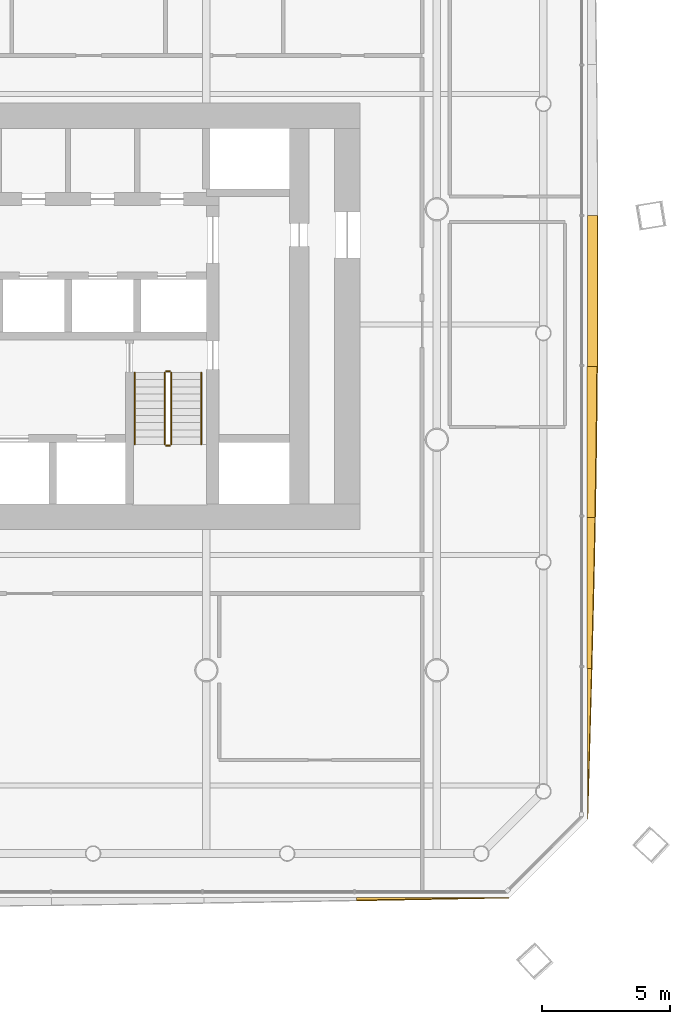
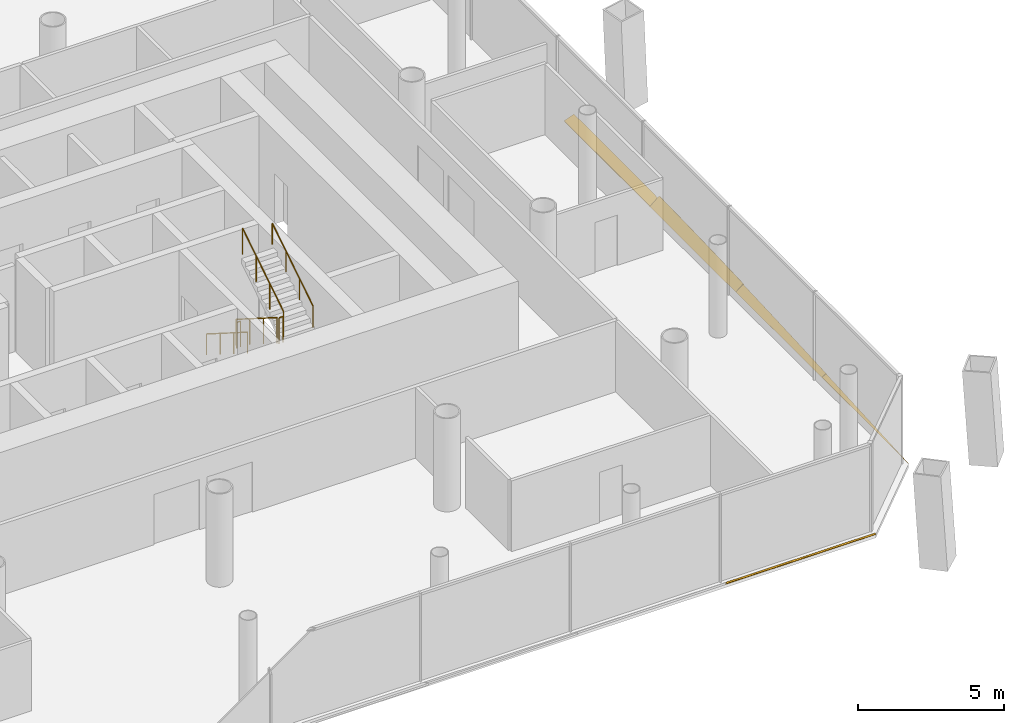
# One storey, part 19 of 21: 6 railings, 5 shading devices.
"""IFC4 building model written with IfcOpenShell, lengths in metres."""

import ifcopenshell
import ifcopenshell.guid

model = None  # the IFC model being written
_history = None  # IfcOwnerHistory: only IFC2X3 demands one
_inside = {}  # id of a spatial element -> (the spatial element, [elements in it])
_under = {}  # id of a project, library or spatial element -> (it, [spatial elements below it])
_declared = {}  # id of a project -> (the project, [libraries it declares])
_typed = {}  # id of a type object -> (the type object, [elements of that type])
_made_of = {}  # id of a material, layer set ... -> (it, [elements and type objects made of it])


def new_model(schema):
    """Start an empty IFC model of exactly this schema.

    Asked for "IFC4X3", IfcOpenShell would pick the latest addendum, in which some entities
    have other attributes; the version numbers below select the first issue.
    IFC2X3 requires an IfcOwnerHistory on every rooted entity: one is made here for all.
    """
    global model, _history
    if schema == "IFC4X3":
        model = ifcopenshell.file(schema_version=(4, 3, 0, 0))
    else:
        model = ifcopenshell.file(schema=schema)
    _inside.clear()
    _under.clear()
    _declared.clear()
    _typed.clear()
    _made_of.clear()
    _history = None
    if model.schema == "IFC2X3":
        org = make("IfcOrganization", Name="unknown")
        user = make(
            "IfcPersonAndOrganization",
            ThePerson=make("IfcPerson", FamilyName="unknown"),
            TheOrganization=org,
        )
        app = make(
            "IfcApplication",
            ApplicationDeveloper=org,
            Version="unknown",
            ApplicationFullName="unknown",
            ApplicationIdentifier="unknown",
        )
        _history = make(
            "IfcOwnerHistory",
            OwningUser=user,
            OwningApplication=app,
            ChangeAction="ADDED",
            CreationDate=0,
        )
    return model


def make(cls, **values):
    """One entity of the class cls with the attributes given. An attribute that is None is left unset."""
    return model.create_entity(
        cls, **{name: value for name, value in values.items() if value is not None}
    )


def rooted(cls, **values):
    """An entity with a GlobalId (a new one), such as an element, a storey or a relation."""
    return make(cls, GlobalId=ifcopenshell.guid.new(), OwnerHistory=_history, **values)


def si_unit(unit_type, name, prefix=None):
    """IfcSIUnit, for example si_unit("LENGTHUNIT", "METRE", prefix="MILLI")."""
    return make("IfcSIUnit", UnitType=unit_type, Prefix=prefix, Name=name)


def assignment(units):
    """IfcUnitAssignment: the units of a project."""
    return None if units is None else make("IfcUnitAssignment", Units=units)


def point(xyz):
    """IfcCartesianPoint."""
    return None if xyz is None else make("IfcCartesianPoint", Coordinates=xyz)


def direction(xyz):
    """IfcDirection."""
    return None if xyz is None else make("IfcDirection", DirectionRatios=xyz)


def frame(location, z_axis=None, x_axis=None):
    """IfcAxis2Placement3D, a coordinate frame: its origin and axes. An axis left out is left unset."""
    return make(
        "IfcAxis2Placement3D",
        Location=point(location),
        Axis=direction(z_axis),
        RefDirection=direction(x_axis),
    )


def frame_2d(location, x_axis=None):
    """IfcAxis2Placement2D, a coordinate frame in the plane: its origin and x axis."""
    return make(
        "IfcAxis2Placement2D", Location=point(location), RefDirection=direction(x_axis)
    )


def origin():
    """The frame at (0, 0, 0) with its axes left unset."""
    return frame((0.0, 0.0, 0.0))


def origin_2d():
    """The frame at (0, 0) in the plane with its x axis left unset."""
    return frame_2d((0.0, 0.0))


def place(relative_to, where):
    """IfcLocalPlacement: puts the frame where relative to a parent placement (None: the world)."""
    return make(
        "IfcLocalPlacement", PlacementRelTo=relative_to, RelativePlacement=where
    )


def context(
    kind, dimensions, precision=None, world=None, true_north=None, identifier=None
):
    """IfcGeometricRepresentationContext, for example the 3D "Model" context."""
    return make(
        "IfcGeometricRepresentationContext",
        ContextIdentifier=identifier,
        ContextType=kind,
        CoordinateSpaceDimension=dimensions,
        Precision=precision,
        WorldCoordinateSystem=world,
        TrueNorth=true_north,
    )


def subcontext(parent, identifier, kind, view, scale=None):
    """IfcGeometricRepresentationSubContext, for example "Body" below "Model"."""
    return make(
        "IfcGeometricRepresentationSubContext",
        ContextIdentifier=identifier,
        ContextType=kind,
        ParentContext=parent,
        TargetScale=scale,
        TargetView=view,
    )


def project(units=None, contexts=None):
    """IfcProject with its units and contexts."""
    return rooted(
        "IfcProject",
        Name="project",
        RepresentationContexts=contexts,
        UnitsInContext=assignment(units),
    )


def spatial(cls, under=None, at=None, **own):
    """A site, building, storey or space (cls), placed at a placement, below another one or the project."""
    s = rooted(cls, ObjectPlacement=at, **own)
    if under is not None:
        _under.setdefault(under.id(), (under, []))[1].append(s)
    return s


def polyline(points):
    """IfcPolyline through the points."""
    return make("IfcPolyline", Points=[point(p) for p in points])


def profile(cls, at=None, kind="AREA", **sizes):
    """A parametric profile (cls). Its sizes go by their IFC names, for example OverallWidth=200.0."""
    return make(cls, ProfileType=kind, Position=at, **sizes)


def circle(**sizes):
    """IfcCircleProfileDef."""
    return profile("IfcCircleProfileDef", **sizes)


def outline(outer, holes=None, kind="AREA"):
    """IfcArbitraryClosedProfileDef: a profile drawn as a closed curve; with holes, ...WithVoids."""
    if holes is None:
        return make("IfcArbitraryClosedProfileDef", ProfileType=kind, OuterCurve=outer)
    return make(
        "IfcArbitraryProfileDefWithVoids",
        ProfileType=kind,
        OuterCurve=outer,
        InnerCurves=holes,
    )


def extrude(swept, where, along, depth):
    """IfcExtrudedAreaSolid: the profile swept, set in the frame where, extruded along a direction by depth."""
    return make(
        "IfcExtrudedAreaSolid",
        SweptArea=swept,
        Position=where,
        ExtrudedDirection=direction(along),
        Depth=depth,
    )


def shape(context_of_items, identifier, shape_type, items):
    """IfcShapeRepresentation: the items that make up one representation, for example the "Body"."""
    return make(
        "IfcShapeRepresentation",
        ContextOfItems=context_of_items,
        RepresentationIdentifier=identifier,
        RepresentationType=shape_type,
        Items=items,
    )


def material(Name=None, Category=None):
    """IfcMaterial."""
    return make("IfcMaterial", Name=Name, Category=Category)


def layer(
    of_material, thickness, ventilated=None, Name=None, Category=None, Priority=None
):
    """IfcMaterialLayer: one layer of a wall or slab, of a material (None: an air gap)."""
    return make(
        "IfcMaterialLayer",
        Material=of_material,
        LayerThickness=thickness,
        IsVentilated=ventilated,
        Name=Name,
        Category=Category,
        Priority=Priority,
    )


def layer_set(layers, Name=None):
    """IfcMaterialLayerSet."""
    return make("IfcMaterialLayerSet", MaterialLayers=layers, LayerSetName=Name)


def made_of(thing, what):
    """Note that an element or type object is made of a material, layer set ...; save() writes the relation."""
    if what is not None:
        _made_of.setdefault(what.id(), (what, []))[1].append(thing)
    return thing


def type_object(cls, material=None, **own):
    """A type object (cls), such as IfcWallType, which elements share."""
    return made_of(rooted(cls, **own), material)


def element(
    cls,
    number,
    at=None,
    inside=None,
    cuts=None,
    type_object=None,
    material=None,
    context=None,
    identifier="Body",
    shape_type=None,
    held_by="IfcProductDefinitionShape",
    body=None,
    shapes=None,
    **own,
):
    """One element of the class cls, such as IfcWall. Its Tag is "e" and its number.

    at: its placement. inside: the storey or other place that contains it. cuts: it is an
    opening in that element (IfcRelVoidsElement). A single representation is given by context,
    identifier, shape_type and body (its items); several are given by shapes. held_by: the class
    of the entity that holds the representations. save() writes the other relations.
    """
    e = rooted(cls, Tag="e%d" % number, ObjectPlacement=at, **own)
    if body is not None:
        shapes = [shape(context, identifier, shape_type, body)]
    if shapes is not None:
        e.Representation = make(held_by, Representations=shapes)
    if inside is not None:
        _inside.setdefault(inside.id(), (inside, []))[1].append(e)
    if cuts is not None:
        rooted(
            "IfcRelVoidsElement", RelatingBuildingElement=cuts, RelatedOpeningElement=e
        )
    if type_object is not None:
        _typed.setdefault(type_object.id(), (type_object, []))[1].append(e)
    return made_of(e, material)


def aggregate(whole, parts):
    """IfcRelAggregates: a whole, such as a stair, and the parts it consists of."""
    return rooted("IfcRelAggregates", RelatingObject=whole, RelatedObjects=parts)


def save(model, path):
    """Write the relations noted so far, then the file.

    IfcRelAggregates (storeys below a building ...), IfcRelContainedInSpatialStructure (elements
    in a storey), IfcRelDefinesByType, IfcRelAssociatesMaterial and IfcRelDeclares: one each for
    every whole, place, type object, material and project.
    """
    for whole, parts in _under.values():
        aggregate(whole, parts)
    for where, things in _inside.values():
        rooted(
            "IfcRelContainedInSpatialStructure",
            RelatedElements=things,
            RelatingStructure=where,
        )
    for kind, things in _typed.values():
        rooted("IfcRelDefinesByType", RelatedObjects=things, RelatingType=kind)
    for what, things in _made_of.values():
        rooted("IfcRelAssociatesMaterial", RelatedObjects=things, RelatingMaterial=what)
    for by, libraries in _declared.values():
        rooted("IfcRelDeclares", RelatingContext=by, RelatedDefinitions=libraries)
    model.write(path)


model = new_model("IFC4")

# Units and contexts
model_context = context("Model", 3, precision=1e-05, world=origin(), true_north=direction((0.0, 1.0)))
body_context = subcontext(model_context, "Body", "Model", "MODEL_VIEW")
ifc_project = project(units=[si_unit("LENGTHUNIT", "METRE"), si_unit("AREAUNIT", "SQUARE_METRE"), si_unit("VOLUMEUNIT", "CUBIC_METRE"), si_unit("PLANEANGLEUNIT", "RADIAN"), si_unit("MASSUNIT", "GRAM", prefix="KILO")], contexts=[model_context])

# Site, building, storey
site_placement = place(None, origin())
site = spatial("IfcSite", under=ifc_project, at=site_placement, CompositionType="ELEMENT")
building_placement = place(site_placement, origin())
building = spatial("IfcBuilding", under=site, at=building_placement, Name="Tskaro Facet Tower", CompositionType="ELEMENT")
storey_placement = place(building_placement, frame((0.0, 0.0, 42.0)))
storey = spatial("IfcBuildingStorey", under=building, at=storey_placement, Name="L09", CompositionType="ELEMENT", Elevation=42.0)

# Shading devices
ifc_material_1 = material(Name="Bronze anodised aluminium 6063-T6", Category="aluminium")
ifc_layer = layer(ifc_material_1, 0.06005859375, Name="Bronze anodised aluminium 6063-T6")
ifc_layer_set = layer_set([ifc_layer], Name="Bronze anodised aluminium 6063-T6")
shading_device_type = type_object("IfcShadingDeviceType", Name="Bronze sun blade (FN1)", PredefinedType="USERDEFINED", material=ifc_layer_set)
shading_device_1_placement = place(storey_placement, frame((14.86279296875, -26.865478515625, 0.0458984375), z_axis=(6.396101e-06, 0.643457545466, 0.76548180066), x_axis=(0.99999999998, -4.115619e-06, -4.896099e-06)))
element("IfcShadingDevice", 1, at=shading_device_1_placement, inside=storey, type_object=shading_device_type, Name="Fin blade south 8", ObjectType="FIN", PredefinedType="USERDEFINED", context=body_context, shape_type="SweptSolid", body=[
    extrude(outline(polyline([(0.0, 0.0), (5.9541015623782085, 0.0), (5.209960937290296, -0.018192974809942107), (4.46557617138684, -0.03672992895244159), (3.7214355462989275, -0.05492290376238369), (2.9770507805860196, -0.07311587857232581), (2.2329101566934426, -0.09115175925495364), (1.4885253911710816, -0.10900075473233836), (0.7441406256487201, -0.1268497502097231), (-2.5343604346675535e-10, -0.1445118604818647), (0.0, 0.0)])), origin(), (0.0, 0.0, -1.0), 0.06005859375),
])
shading_device_2_placement = place(storey_placement, frame((23.8740234375, -23.81689453125, 0.052001953125), z_axis=(-0.500206417645, 1.2374791e-05, 0.865906195609), x_axis=(6.18995e-06, 0.999999999923, -1.0715408e-05)))
element("IfcShadingDevice", 2, at=shading_device_2_placement, inside=storey, type_object=shading_device_type, Name="Fin blade east 1", ObjectType="FIN", PredefinedType="USERDEFINED", context=body_context, shape_type="SweptSolid", body=[
    extrude(outline(polyline([(0.0, 0.0), (5.894287108923688, 0.0), (5.894287109834925, -0.18999049618256553), (5.157470703082939, -0.16746071325594541), (4.420654295924585, -0.14438600386227615), (3.6838378898710777, -0.12097777088136119), (2.9472656255474, -0.09723601431320054), (2.2104492175763046, -0.07307145198543294), (1.4736328122212758, -0.04878476895022312), (0.736816406866247, -0.024498085915013297), (0.0, 0.0)])), origin(), (0.0, 0.0, -1.0), 0.06005859375),
])
shading_device_3_placement = place(storey_placement, frame((23.86962890625, -17.922607421875, 0.049072265625), z_axis=(-0.573790159349, 1.1612155e-05, 0.819002352194), x_axis=(6.66294e-06, 0.999999999933, -9.510382e-06)))
element("IfcShadingDevice", 3, at=shading_device_3_placement, inside=storey, type_object=shading_device_type, Name="Fin blade east 2", ObjectType="FIN", PredefinedType="USERDEFINED", context=body_context, shape_type="SweptSolid", body=[
    extrude(outline(polyline([(0.0, 0.0), (5.894531249602585, -4.992862177370075e-21), (5.894531250138192, -0.36513423785644594), (5.157714844786291, -0.34779353156607645), (4.420898437571354, -0.329372847314825), (3.6840820324419457, -0.30993205136071444), (2.947265624754325, -0.28975131468000836), (2.2104492191522325, -0.26855046629644314), (1.4736328109919283, -0.2466096771862824), (0.736816404221976, -0.2239888136075489), (-1.1576235600018555e-09, -0.20068787556024253), (0.0, 0.0)])), origin(), (0.0, 0.0, -1.0), 0.06005859375),
])
shading_device_4_placement = place(storey_placement, frame((23.865478515625, -12.028076171875, 0.0458984375), z_axis=(-0.642908909877, 1.502343e-05, 0.765942643659), x_axis=(9.658697e-06, 0.999999999887, -1.1507086e-05)))
element("IfcShadingDevice", 4, at=shading_device_4_placement, inside=storey, type_object=shading_device_type, Name="Fin blade east 3", ObjectType="FIN", PredefinedType="USERDEFINED", context=body_context, shape_type="SweptSolid", body=[
    extrude(outline(polyline([(0.0, 0.0), (5.8945312493347926, -4.992862177370075e-21), (5.89453124995174, -0.49561448694044086), (5.157714844280439, -0.4872994223026803), (4.420898438056123, -0.4774215283537566), (3.6840820312787956, -0.4659808050936698), (2.947265625855268, -0.4535082081370291), (2.2104492170693795, -0.43962974205231825), (1.4736328124466391, -0.4245624420879605), (0.7368164044615383, -0.40808927299553277), (-2.1697622708768575e-09, -0.3905842302065511), (0.0, 0.0)])), origin(), (0.0, 0.0, -1.0), 0.06005859375),
])
shading_device_5_placement = place(storey_placement, frame((23.883544921875, -6.133544921875, 0.056396484375), z_axis=(-0.34199712931, 5.847125e-06, 0.939700996865), x_axis=(1.9997e-06, 0.999999999983, -5.494549e-06)))
element("IfcShadingDevice", 5, at=shading_device_5_placement, inside=storey, type_object=shading_device_type, Name="Fin blade east 4", ObjectType="FIN", PredefinedType="USERDEFINED", context=body_context, shape_type="SweptSolid", body=[
    extrude(outline(polyline([(0.0, 0.0), (5.894531249899236, 0.0), (5.894531250193735, -0.4177508602624293), (5.157714843837666, -0.4198366999506612), (4.420898438211651, -0.42083787209832746), (3.9140624993788724, -0.4209213674912268), (3.684082030632804, -0.4209213674912268), (2.947265625125453, -0.4198366999506612), (2.2104492190067124, -0.4177508602624293), (1.4736328117883744, -0.4144344292378393), (0.7368164061533246, -0.4097204160910926), (-9.311453669893793e-11, -0.40400523079667966), (0.0, 0.0)])), origin(), (0.0, 0.0, -1.0), 0.06005859375),
])

# Railings
ifc_material_2 = material(Name="Stainless steel", Category="steel")
railing_type_1 = type_object("IfcRailingType", Name="RL-GUARD-1100", PredefinedType="GUARDRAIL", material=ifc_material_2)
railing_1_placement = place(storey_placement, frame((7.375, -6.375, 0.17724609375)))
element("IfcRailing", 6, at=railing_1_placement, inside=storey, type_object=railing_type_1, Name="L09 ST-2 stair guard 1", PredefinedType="GUARDRAIL", context=body_context, shape_type="SweptSolid", body=[
    extrude(circle(Radius=0.02392578125, at=origin_2d()), frame((0.0, 0.0, 1.076171875), z_axis=(0.0, -0.844908973607, 0.534910110503), x_axis=(1.0, 0.0, 0.0)), (0.0, 0.0, 1.0), 3.31396484375),
    extrude(circle(Radius=0.02099609375, at=origin_2d()), origin(), (0.0, 0.0, 1.0), 1.052001953125),
    extrude(circle(Radius=0.02099609375, at=origin_2d()), frame((0.0, -0.933349609375, 0.5908203125)), (0.0, 0.0, 1.0), 1.052001953125),
    extrude(circle(Radius=0.02099609375, at=origin_2d()), frame((0.0, -1.86669921875, 1.181884765625)), (0.0, 0.0, 1.0), 1.052001953125),
    extrude(circle(Radius=0.02099609375, at=origin_2d()), frame((0.0, -2.800048828125, 1.772705078125)), (0.0, 0.0, 1.0), 1.052001953125),
])
railing_2_placement = place(storey_placement, frame((7.425048828125, -9.22509765625, 1.949951171875)))
element("IfcRailing", 7, at=railing_2_placement, inside=storey, type_object=railing_type_1, Name="L09 ST-2 stair guard 2", PredefinedType="GUARDRAIL", context=body_context, shape_type="SweptSolid", body=[
    extrude(circle(Radius=0.02392578125, at=origin_2d()), frame((0.0, 0.0, 1.076171875), z_axis=(1.0, 0.0, 0.0), x_axis=(0.0, 1.0, 0.0)), (0.0, 0.0, 1.0), 0.14990234375),
    extrude(circle(Radius=0.02099609375, at=origin_2d()), origin(), (0.0, 0.0, 1.0), 1.052001953125),
    extrude(circle(Radius=0.02099609375, at=origin_2d()), frame((0.14990234375, 0.0, 0.0)), (0.0, 0.0, 1.0), 1.052001953125),
])
railing_3_placement = place(storey_placement, frame((7.625, -9.175048828125, 2.127197265625)))
element("IfcRailing", 8, at=railing_3_placement, inside=storey, type_object=railing_type_1, Name="L09 ST-2 stair guard 3", PredefinedType="GUARDRAIL", context=body_context, shape_type="SweptSolid", body=[
    extrude(circle(Radius=0.02392578125, at=origin_2d()), frame((0.0, 0.0, 1.076171875), z_axis=(0.0, 0.844908973607, 0.534910110503), x_axis=(-1.0, 0.0, 0.0)), (0.0, 0.0, 1.0), 3.31396484375),
    extrude(circle(Radius=0.02099609375, at=origin_2d()), origin(), (0.0, 0.0, 1.0), 1.052001953125),
    extrude(circle(Radius=0.02099609375, at=origin_2d()), frame((0.0, 0.933349609375, 0.5908203125)), (0.0, 0.0, 1.0), 1.052001953125),
    extrude(circle(Radius=0.02099609375, at=origin_2d()), frame((0.0, 1.86669921875, 1.181884765625)), (0.0, 0.0, 1.0), 1.052001953125),
    extrude(circle(Radius=0.02099609375, at=origin_2d()), frame((0.0, 2.800048828125, 1.772705078125)), (0.0, 0.0, 1.0), 1.052001953125),
])
railing_4_placement = place(storey_placement, frame((7.425048828125, -6.324951171875, 0.0)))
element("IfcRailing", 9, at=railing_4_placement, inside=storey, type_object=railing_type_1, Name="L09 ST-2 stair guard 4", PredefinedType="GUARDRAIL", context=body_context, shape_type="SweptSolid", body=[
    extrude(circle(Radius=0.02392578125, at=origin_2d()), frame((0.0, 0.0, 1.076171875), z_axis=(1.0, 0.0, 0.0), x_axis=(0.0, 1.0, 0.0)), (0.0, 0.0, 1.0), 0.14990234375),
    extrude(circle(Radius=0.02099609375, at=origin_2d()), origin(), (0.0, 0.0, 1.0), 1.052001953125),
    extrude(circle(Radius=0.02099609375, at=origin_2d()), frame((0.14990234375, 0.0, 0.0)), (0.0, 0.0, 1.0), 1.052001953125),
])
railing_type_2 = type_object("IfcRailingType", Name="RL-HANDRAIL-900", PredefinedType="HANDRAIL", material=ifc_material_2)
railing_5_placement = place(storey_placement, frame((6.199951171875, -6.375, 0.17724609375)))
element("IfcRailing", 10, at=railing_5_placement, inside=storey, type_object=railing_type_2, Name="L09 ST-2 stair handrail 1", PredefinedType="HANDRAIL", context=body_context, shape_type="SweptSolid", body=[
    extrude(circle(Radius=0.02392578125, at=origin_2d()), frame((0.0, 0.0, 0.8759765625), z_axis=(0.0, -0.844908973607, 0.534910110503), x_axis=(1.0, 0.0, 0.0)), (0.0, 0.0, 1.0), 3.31396484375),
    extrude(circle(Radius=0.02099609375, at=origin_2d()), origin(), (0.0, 0.0, 1.0), 0.851806640625),
    extrude(circle(Radius=0.02099609375, at=origin_2d()), frame((0.0, -0.933349609375, 0.5908203125)), (0.0, 0.0, 1.0), 0.851806640625),
    extrude(circle(Radius=0.02099609375, at=origin_2d()), frame((0.0, -1.86669921875, 1.181884765625)), (0.0, 0.0, 1.0), 0.851806640625),
    extrude(circle(Radius=0.02099609375, at=origin_2d()), frame((0.0, -2.800048828125, 1.772705078125)), (0.0, 0.0, 1.0), 0.851806640625),
])
railing_6_placement = place(storey_placement, frame((8.800048828125, -9.175048828125, 2.127197265625)))
element("IfcRailing", 11, at=railing_6_placement, inside=storey, type_object=railing_type_2, Name="L09 ST-2 stair handrail 2", PredefinedType="HANDRAIL", context=body_context, shape_type="SweptSolid", body=[
    extrude(circle(Radius=0.02392578125, at=origin_2d()), frame((0.0, 0.0, 0.8759765625), z_axis=(0.0, 0.844908973607, 0.534910110503), x_axis=(-1.0, 0.0, 0.0)), (0.0, 0.0, 1.0), 3.31396484375),
    extrude(circle(Radius=0.02099609375, at=origin_2d()), origin(), (0.0, 0.0, 1.0), 0.851806640625),
    extrude(circle(Radius=0.02099609375, at=origin_2d()), frame((0.0, 0.933349609375, 0.5908203125)), (0.0, 0.0, 1.0), 0.851806640625),
    extrude(circle(Radius=0.02099609375, at=origin_2d()), frame((0.0, 1.86669921875, 1.181884765625)), (0.0, 0.0, 1.0), 0.851806640625),
    extrude(circle(Radius=0.02099609375, at=origin_2d()), frame((0.0, 2.800048828125, 1.772705078125)), (0.0, 0.0, 1.0), 0.851806640625),
])

save(model, "model.ifc")
